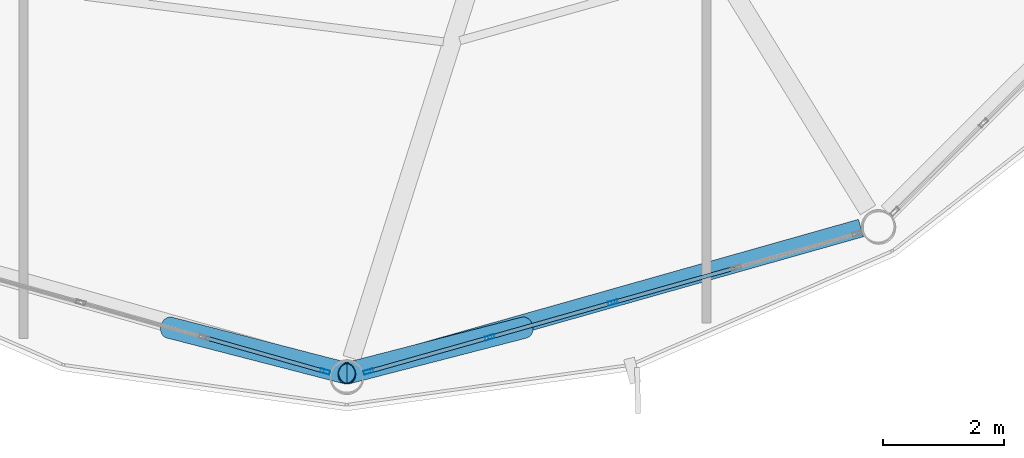
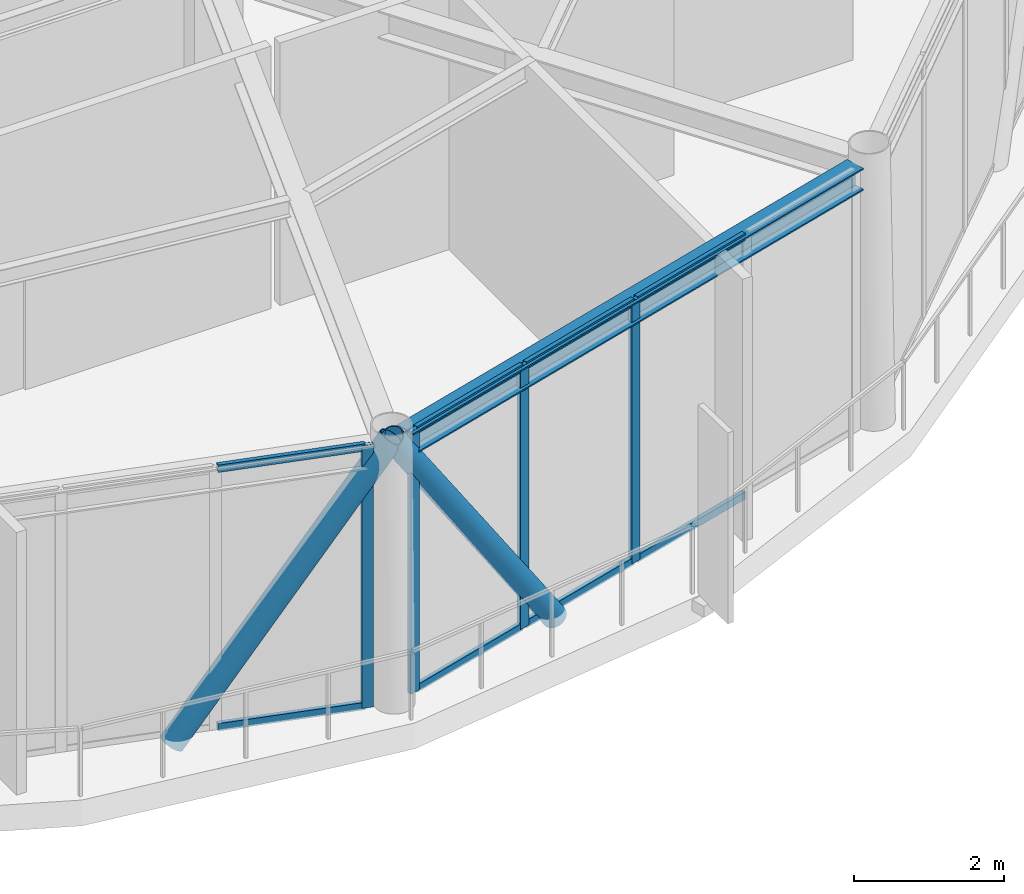
# One storey, part 6 of 26: 14 members, 1 beam, 2 elements without a shape of their own.
"""IFC4 building model written with IfcOpenShell, lengths in metres."""

from ifc_helpers import new_model, si_unit, direction, frame, origin, origin_2d, place, context, subcontext, project, spatial, hollow_rectangle, hollow_circle, i_section, extrude, material, layer, layer_set, material_profile, profile_set, type_object, element, aggregate, save


model = new_model("IFC4")

# Units and contexts
model_context = context("Model", 3, precision=1e-05, world=origin(), true_north=direction((0.0, 1.0)))
body_context = subcontext(model_context, "Body", "Model", "MODEL_VIEW")
ifc_project = project(units=[si_unit("LENGTHUNIT", "METRE"), si_unit("AREAUNIT", "SQUARE_METRE"), si_unit("VOLUMEUNIT", "CUBIC_METRE"), si_unit("PLANEANGLEUNIT", "RADIAN"), si_unit("MASSUNIT", "GRAM", prefix="KILO")], contexts=[model_context])

# Site, building, storey
site_placement = place(None, origin())
site = spatial("IfcSite", under=ifc_project, at=site_placement, CompositionType="ELEMENT")
building_placement = place(site_placement, origin())
building = spatial("IfcBuilding", under=site, at=building_placement, Name="Varnakorn Sky Granary", CompositionType="ELEMENT")
storey_placement = place(building_placement, frame((0.0, 0.0, 289.5)))
storey = spatial("IfcBuildingStorey", under=building, at=storey_placement, Name="L74", CompositionType="ELEMENT", Elevation=289.5)

# Beam
ifc_material_1 = material(Name="Steel S355JR", Category="steel")
ifc_material_profile_1 = material_profile(ifc_material_1, i_section(OverallWidth=0.300048828125, OverallDepth=0.360107421875, WebThickness=0.012451171875, FlangeThickness=0.0224609375, at=origin_2d()), Name="HE 360 B")
ifc_profile_set_1 = profile_set([ifc_material_profile_1], Name="Steel S355JR")
beam_type = type_object("IfcBeamType", Name="BM-SPD-Z5", PredefinedType="SPANDREL", material=ifc_profile_set_1)
beam_placement = place(storey_placement, frame((5.1044921875, -17.556884765625, 4.080078125), z_axis=(0.962260332488, 0.272130579908, 0.0), x_axis=(-0.272130579908, 0.962260332488, 0.0)))
element("IfcBeam", 1, at=beam_placement, inside=storey, type_object=beam_type, Name="Perimeter Spandrel Ring Beam RB10 L74", PredefinedType="SPANDREL", context=body_context, shape_type="SweptSolid", body=[
    extrude(i_section(OverallWidth=0.300048828125, OverallDepth=0.360107421875, WebThickness=0.012451171875, FlangeThickness=0.0224609375, at=origin_2d()), origin(), (0.0, 0.0, 1.0), 8.579345703125),
])

# Curtain wall, member
ifc_material_2 = material(Name="Anodised Bronze Aluminium Alloy 6063-T6", Category="aluminium")
ifc_layer = layer(ifc_material_2, 0.159912109375, Name="Anodised Bronze Aluminium Alloy 6063-T6")
ifc_layer_set = layer_set([ifc_layer], Name="Anodised Bronze Aluminium Alloy 6063-T6")
curtain_wall_type = type_object("IfcCurtainWallType", Name="CW-OFF-1", PredefinedType="USERDEFINED", material=ifc_layer_set)
curtain_wall_1_placement = place(storey_placement, origin())
curtain_wall_1 = element("IfcCurtainWall", 2, at=curtain_wall_1_placement, inside=storey, type_object=curtain_wall_type, Name="Unitised Curtain Wall CW6 CW-L74-B09", ObjectType="CURTAIN WALL", PredefinedType="USERDEFINED")
ifc_material_profile_2 = material_profile(ifc_material_2, hollow_rectangle(XDim=0.06494140625, YDim=0.159912109375, WallThickness=0.00341796875, at=origin_2d()), Name="ALU MULL 65x160")
ifc_profile_set_2 = profile_set([ifc_material_profile_2], Name="Anodised Bronze Aluminium Alloy 6063-T6")
member_type_1 = type_object("IfcMemberType", Name="CW-OFF-1-MULL", PredefinedType="MULLION", material=ifc_profile_set_2)
member_1_placement = place(storey_placement, frame((4.491943359375, -17.598876953125, 0.0), z_axis=(0.0, 0.0, 1.0), x_axis=(-0.271878363446, -0.962331624488, 0.0)))
member_1 = element("IfcMember", 3, at=member_1_placement, type_object=member_type_1, Name="CW6 mullion 1", PredefinedType="MULLION", context=body_context, shape_type="SweptSolid", body=[
    extrude(hollow_rectangle(XDim=0.06494140625, YDim=0.159912109375, WallThickness=0.00341796875, at=origin_2d()), origin(), (0.0, 0.0, 1.0), 4.260009765625),
])

# Curtain wall, members
curtain_wall_2_placement = place(storey_placement, origin())
curtain_wall_2 = element("IfcCurtainWall", 4, at=curtain_wall_2_placement, inside=storey, type_object=curtain_wall_type, Name="Unitised Curtain Wall CW6 CW-L74-B10", ObjectType="CURTAIN WALL", PredefinedType="USERDEFINED")
member_2_placement = place(storey_placement, frame((9.253662109375, -16.455810546875, 0.0), z_axis=(0.0, 0.0, 1.0), x_axis=(0.271878363446, -0.962331624488, 0.0)))
member_2 = element("IfcMember", 5, at=member_2_placement, type_object=member_type_1, Name="CW6 mullion 3", PredefinedType="MULLION", context=body_context, shape_type="SweptSolid", body=[
    extrude(hollow_rectangle(XDim=0.06494140625, YDim=0.159912109375, WallThickness=0.00341796875, at=origin_2d()), origin(), (0.0, 0.0, 1.0), 4.260009765625),
])
member_3_placement = place(storey_placement, frame((7.21533203125, -17.03173828125, 0.0), z_axis=(0.0, 0.0, 1.0), x_axis=(0.271878363446, -0.962331624488, 0.0)))
member_3 = element("IfcMember", 6, at=member_3_placement, type_object=member_type_1, Name="CW6 mullion 4", PredefinedType="MULLION", context=body_context, shape_type="SweptSolid", body=[
    extrude(hollow_rectangle(XDim=0.06494140625, YDim=0.159912109375, WallThickness=0.00341796875, at=origin_2d()), origin(), (0.0, 0.0, 1.0), 4.260009765625),
])
member_4_placement = place(storey_placement, frame((5.2080078125, -17.598876953125, 0.0), z_axis=(0.0, 0.0, 1.0), x_axis=(0.271878363446, -0.962331624488, 0.0)))
member_4 = element("IfcMember", 7, at=member_4_placement, type_object=member_type_1, Name="CW6 mullion 5", PredefinedType="MULLION", context=body_context, shape_type="SweptSolid", body=[
    extrude(hollow_rectangle(XDim=0.06494140625, YDim=0.159912109375, WallThickness=0.00341796875, at=origin_2d()), origin(), (0.0, 0.0, 1.0), 4.260009765625),
])

# Member
ifc_material_profile_3 = material_profile(ifc_material_2, hollow_rectangle(XDim=0.06494140625, YDim=0.1201171875, WallThickness=0.00341796875, at=origin_2d()), Name="ALU TRAN 65x120")
ifc_profile_set_3 = profile_set([ifc_material_profile_3], Name="Anodised Bronze Aluminium Alloy 6063-T6")
member_type_2 = type_object("IfcMemberType", Name="CW-OFF-1-TRAN", PredefinedType="USERDEFINED", material=ifc_profile_set_3)
member_5_placement = place(storey_placement, frame((4.460693359375, -17.590087890625, 0.032470703125), z_axis=(-0.962308715742, 0.271959437431, 0.0), x_axis=(-0.271959437431, -0.962308715742, 0.0)))
member_5 = element("IfcMember", 8, at=member_5_placement, type_object=member_type_2, Name="CW6 transom 1.1", ObjectType="TRANSOM", PredefinedType="USERDEFINED", context=body_context, shape_type="SweptSolid", body=[
    extrude(hollow_rectangle(XDim=0.06494140625, YDim=0.1201171875, WallThickness=0.00341796875, at=origin_2d()), origin(), (0.0, 0.0, 1.0), 2.020751953125),
])

member_6_placement = place(storey_placement, frame((4.460693359375, -17.590087890625, 4.2275390625), z_axis=(-0.962308715742, 0.271959437431, 0.0), x_axis=(-0.271959437431, -0.962308715742, 0.0)))
member_6 = element("IfcMember", 9, at=member_6_placement, type_object=member_type_2, Name="CW6 transom 1.2", ObjectType="TRANSOM", PredefinedType="USERDEFINED", context=body_context, shape_type="SweptSolid", body=[
    extrude(hollow_rectangle(XDim=0.06494140625, YDim=0.1201171875, WallThickness=0.00341796875, at=origin_2d()), origin(), (0.0, 0.0, 1.0), 2.020751953125),
])

aggregate(curtain_wall_1, [member_1, member_5, member_6])

member_7_placement = place(storey_placement, frame((11.260986328125, -15.888671875, 0.032470703125), z_axis=(-0.962322930265, -0.271909135349, 0.0), x_axis=(0.271909135349, -0.962322930265, 0.0)))
member_7 = element("IfcMember", 10, at=member_7_placement, type_object=member_type_2, Name="CW6 transom 2.1", ObjectType="TRANSOM", PredefinedType="USERDEFINED", context=body_context, shape_type="SweptSolid", body=[
    extrude(hollow_rectangle(XDim=0.06494140625, YDim=0.1201171875, WallThickness=0.00341796875, at=origin_2d()), origin(), (0.0, 0.0, 1.0), 2.053466796875),
])

member_8_placement = place(storey_placement, frame((11.260986328125, -15.888671875, 4.2275390625), z_axis=(-0.962322930265, -0.271909135349, 0.0), x_axis=(0.271909135349, -0.962322930265, 0.0)))
member_8 = element("IfcMember", 11, at=member_8_placement, type_object=member_type_2, Name="CW6 transom 2.2", ObjectType="TRANSOM", PredefinedType="USERDEFINED", context=body_context, shape_type="SweptSolid", body=[
    extrude(hollow_rectangle(XDim=0.06494140625, YDim=0.1201171875, WallThickness=0.00341796875, at=origin_2d()), origin(), (0.0, 0.0, 1.0), 2.053466796875),
])

member_9_placement = place(storey_placement, frame((9.222412109375, -16.464599609375, 0.032470703125), z_axis=(-0.962314138425, -0.271940248928, 0.0), x_axis=(0.271940248928, -0.962314138425, 0.0)))
member_9 = element("IfcMember", 12, at=member_9_placement, type_object=member_type_2, Name="CW6 transom 3.1", ObjectType="TRANSOM", PredefinedType="USERDEFINED", context=body_context, shape_type="SweptSolid", body=[
    extrude(hollow_rectangle(XDim=0.06494140625, YDim=0.1201171875, WallThickness=0.00341796875, at=origin_2d()), origin(), (0.0, 0.0, 1.0), 2.05322265625),
])

member_10_placement = place(storey_placement, frame((9.222412109375, -16.464599609375, 4.2275390625), z_axis=(-0.962314138425, -0.271940248928, 0.0), x_axis=(0.271940248928, -0.962314138425, 0.0)))
member_10 = element("IfcMember", 13, at=member_10_placement, type_object=member_type_2, Name="CW6 transom 3.2", ObjectType="TRANSOM", PredefinedType="USERDEFINED", context=body_context, shape_type="SweptSolid", body=[
    extrude(hollow_rectangle(XDim=0.06494140625, YDim=0.1201171875, WallThickness=0.00341796875, at=origin_2d()), origin(), (0.0, 0.0, 1.0), 2.05322265625),
])

member_11_placement = place(storey_placement, frame((7.183837890625, -17.04052734375, 0.032470703125), z_axis=(-0.962308715742, -0.271959437431, 0.0), x_axis=(0.271959437431, -0.962308715742, 0.0)))
member_11 = element("IfcMember", 14, at=member_11_placement, type_object=member_type_2, Name="CW6 transom 4.1", ObjectType="TRANSOM", PredefinedType="USERDEFINED", context=body_context, shape_type="SweptSolid", body=[
    extrude(hollow_rectangle(XDim=0.06494140625, YDim=0.1201171875, WallThickness=0.00341796875, at=origin_2d()), origin(), (0.0, 0.0, 1.0), 2.020751953125),
])

member_12_placement = place(storey_placement, frame((7.183837890625, -17.04052734375, 4.2275390625), z_axis=(-0.962308715742, -0.271959437431, 0.0), x_axis=(0.271959437431, -0.962308715742, 0.0)))
member_12 = element("IfcMember", 15, at=member_12_placement, type_object=member_type_2, Name="CW6 transom 4.2", ObjectType="TRANSOM", PredefinedType="USERDEFINED", context=body_context, shape_type="SweptSolid", body=[
    extrude(hollow_rectangle(XDim=0.06494140625, YDim=0.1201171875, WallThickness=0.00341796875, at=origin_2d()), origin(), (0.0, 0.0, 1.0), 2.020751953125),
])

aggregate(curtain_wall_2, [member_2, member_3, member_4, member_7, member_8, member_9, member_10, member_11, member_12])

# Members
ifc_material_3 = material(Name="Steel S460M", Category="steel")
ifc_material_profile_4 = material_profile(ifc_material_3, hollow_circle(Radius=0.177734375, WallThickness=0.01416015625, at=origin_2d()), Name="CHS 355.6x14")
ifc_profile_set_4 = profile_set([ifc_material_profile_4], Name="Steel S460M")
member_type_3 = type_object("IfcMemberType", Name="MB-DIAG-T5", PredefinedType="BRACE", material=ifc_profile_set_4)
for number, where, z_axis, x_axis, name in (
    (16, (1.914306640625, -16.87060546875, -0.1298828125), (0.550261583413, -0.142129935807, 0.822806946475), (0.2500874373, 0.968223256127, 0.0), "Perimeter CHS Diagrid Brace DG09 L74"),
    (17, (7.785888671875, -16.87060546875, -0.1298828125), (-0.550261583413, -0.142129935807, 0.822806946475), (0.2500874373, -0.968223256127, 0.0), "Perimeter CHS Diagrid Brace DG10 L74"),
):
    element("IfcMember", number, at=place(storey_placement, frame(where, z_axis=z_axis, x_axis=x_axis)), inside=storey, type_object=member_type_3, Name=name, PredefinedType="BRACE", context=body_context, shape_type="SweptSolid", body=[
        extrude(hollow_circle(Radius=0.177734375, WallThickness=0.01416015625, at=origin_2d()), origin(), (0.0, 0.0, 1.0), 5.335205078125),
    ])

save(model, "model.ifc")
